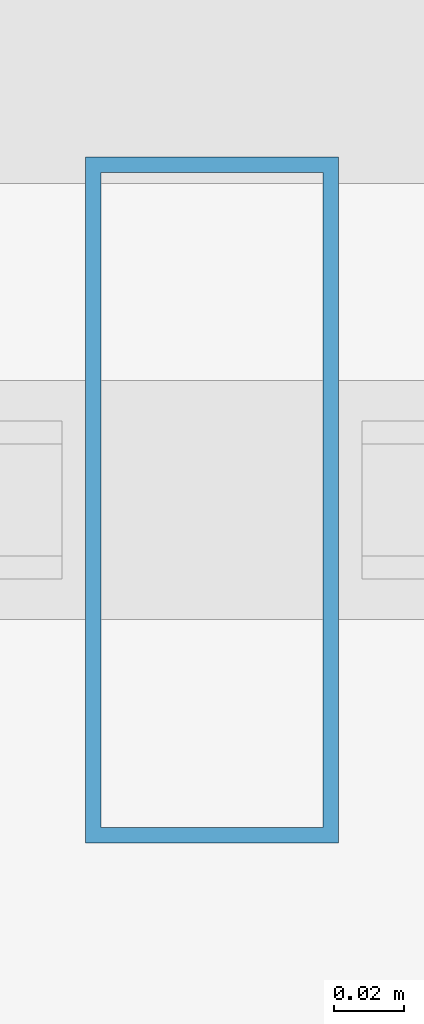
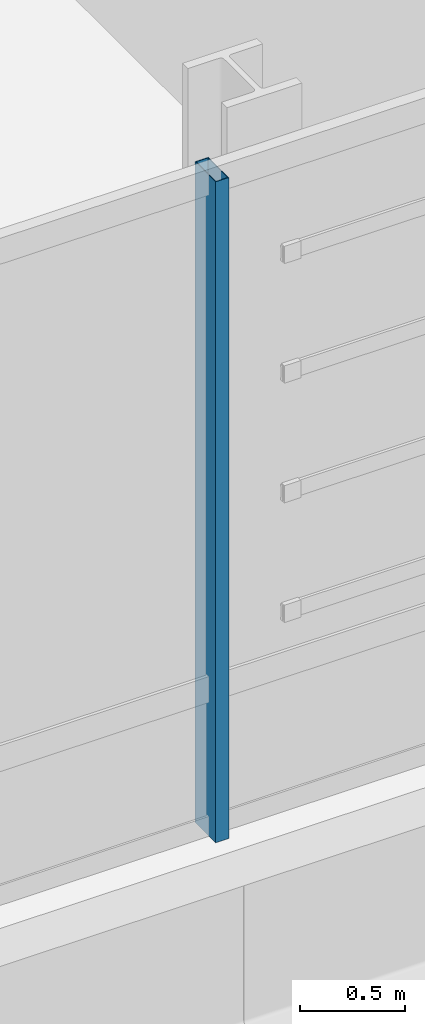
# One storey, part 6 of 37: 1 member, 1 element without a shape of its own.
"""IFC4 building model written with IfcOpenShell, lengths in metres."""

from ifc_helpers import new_model, si_unit, direction, frame, origin, origin_2d, place, context, subcontext, project, spatial, hollow_rectangle, extrude, material, material_profile, profile_set, type_object, element, aggregate, save


model = new_model("IFC4")

# Units and contexts
model_context = context("Model", 3, precision=1e-05, world=origin(), true_north=direction((0.0, 1.0)))
body_context = subcontext(model_context, "Body", "Model", "MODEL_VIEW")
ifc_project = project(units=[si_unit("LENGTHUNIT", "METRE"), si_unit("AREAUNIT", "SQUARE_METRE"), si_unit("VOLUMEUNIT", "CUBIC_METRE"), si_unit("PLANEANGLEUNIT", "RADIAN"), si_unit("MASSUNIT", "GRAM", prefix="KILO")], contexts=[model_context])

# Site, building, storey
site_placement = place(None, origin())
site = spatial("IfcSite", under=ifc_project, at=site_placement, CompositionType="ELEMENT")
building_placement = place(site_placement, origin())
building = spatial("IfcBuilding", under=site, at=building_placement, Name="Punatoya Terracotta Tower", CompositionType="ELEMENT")
storey_placement = place(building_placement, frame((0.0, 0.0, 192.449951171875)))
storey = spatial("IfcBuildingStorey", under=building, at=storey_placement, Name="L45", CompositionType="ELEMENT", Elevation=192.449951171875)

# Curtain wall, member
ifc_material_1 = material(Name="Aluminium 6063-T6 + Double Low-E Glass", Category="aluminium")
curtain_wall_type = type_object("IfcCurtainWallType", Name="CW-M2", PredefinedType="NOTDEFINED", material=ifc_material_1)
curtain_wall_placement = place(storey_placement, origin())
curtain_wall = element("IfcCurtainWall", 1, at=curtain_wall_placement, inside=storey, type_object=curtain_wall_type, Name="L45 Curtain Wall CW-L45-S01-1", PredefinedType="NOTDEFINED")
ifc_material_2 = material(Name="Aluminium 6063-T6", Category="aluminium")
ifc_material_profile = material_profile(ifc_material_2, hollow_rectangle(XDim=0.072021484375, YDim=0.195068359375, WallThickness=0.00439453125, at=origin_2d()))
ifc_profile_set = profile_set([ifc_material_profile], Name="Aluminium 6063-T6")
member_type = type_object("IfcMemberType", Name="CW-MUL-M2", PredefinedType="MULLION", material=ifc_profile_set)
member_placement = place(storey_placement, frame((-4.1669921875, -23.25, 0.0), z_axis=(0.0, 0.0, 1.0), x_axis=(1.0, 0.0, 0.0)))
member = element("IfcMember", 2, at=member_placement, type_object=member_type, Name="CW-L45-S01-1 Mullion 05", PredefinedType="MULLION", context=body_context, shape_type="SweptSolid", body=[
    extrude(hollow_rectangle(XDim=0.072021484375, YDim=0.195068359375, WallThickness=0.00439453125, at=origin_2d()), origin(), (0.0, 0.0, 1.0), 3.830078125),
])
aggregate(curtain_wall, [member])

save(model, "model.ifc")
